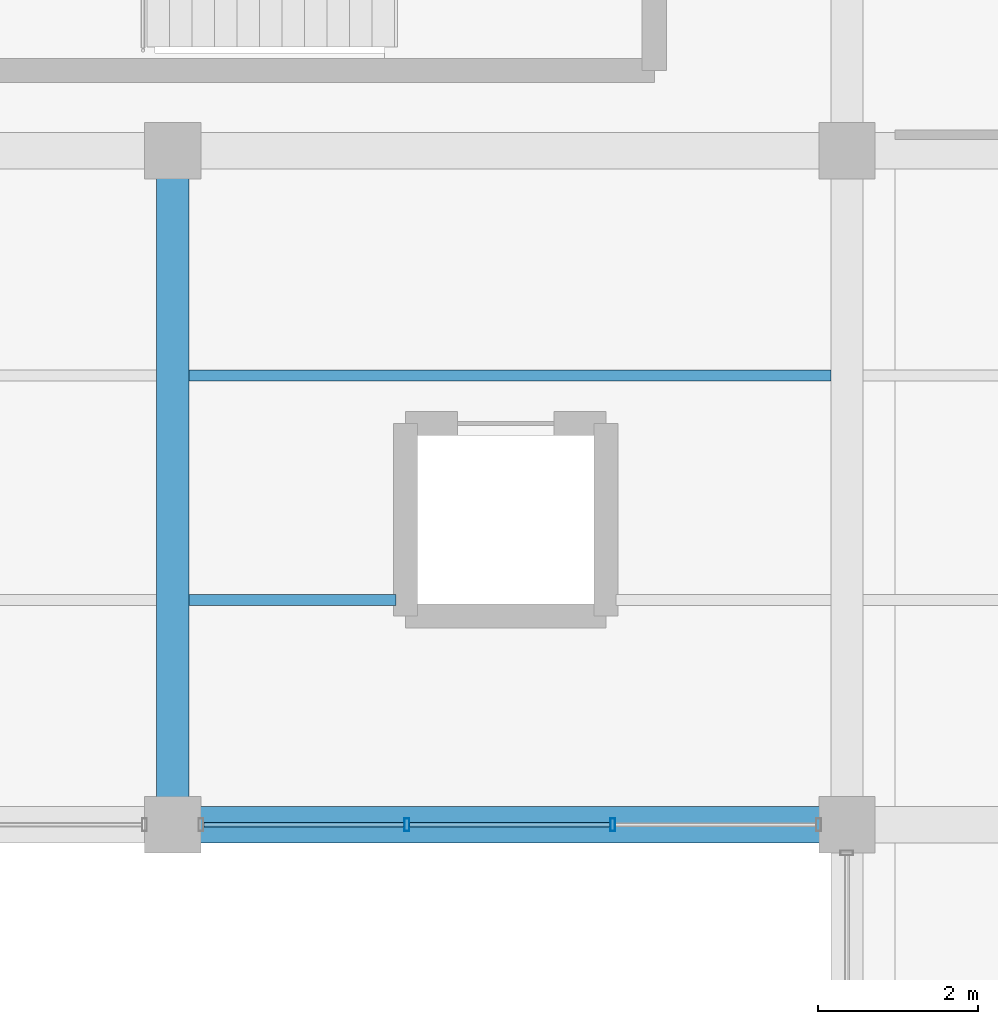
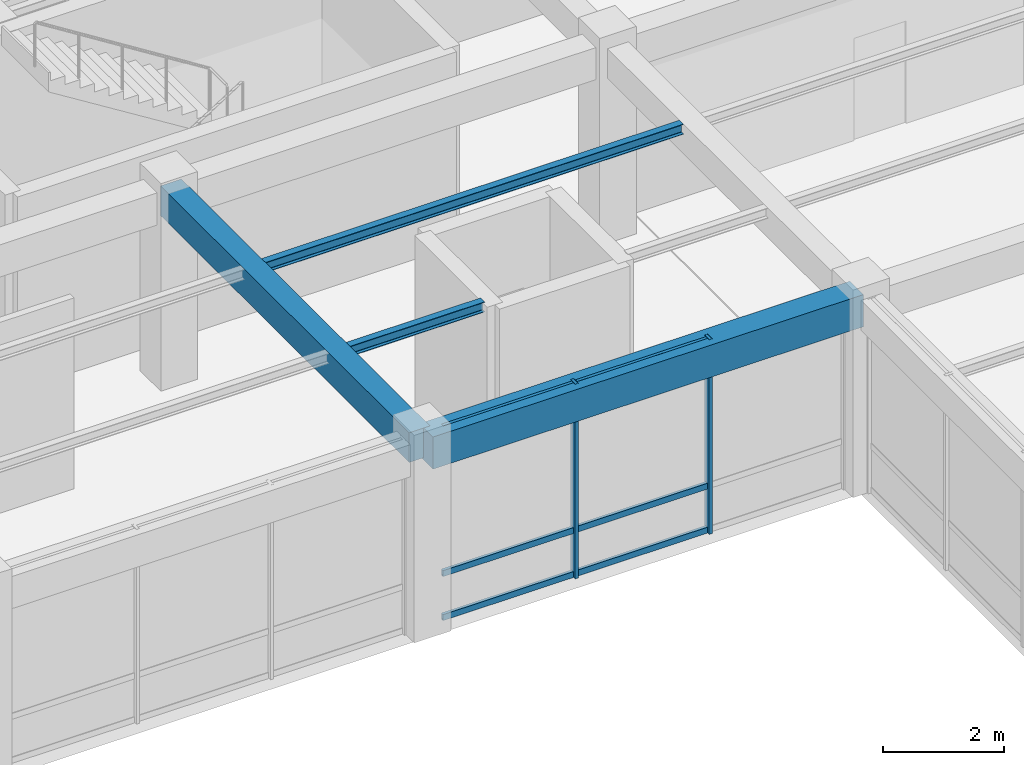
# One storey, part 21 of 152: 8 members, 4 beams, 1 element without a shape of its own.
"""IFC4 building model written with IfcOpenShell, lengths in metres."""

from ifc_helpers import new_model, si_unit, direction, frame, origin, origin_2d, place, context, subcontext, project, spatial, rectangle, hollow_rectangle, i_section, extrude, material, material_profile, profile_set, type_object, element, aggregate, save


model = new_model("IFC4")

# Units and contexts
model_context = context("Model", 3, precision=1e-05, world=origin(), true_north=direction((0.0, 1.0)))
body_context = subcontext(model_context, "Body", "Model", "MODEL_VIEW")
ifc_project = project(units=[si_unit("LENGTHUNIT", "METRE"), si_unit("AREAUNIT", "SQUARE_METRE"), si_unit("VOLUMEUNIT", "CUBIC_METRE"), si_unit("PLANEANGLEUNIT", "RADIAN"), si_unit("MASSUNIT", "GRAM", prefix="KILO"), si_unit("THERMODYNAMICTEMPERATUREUNIT", "KELVIN"), si_unit("POWERUNIT", "WATT")], contexts=[model_context])

# Site, building, storey
site_placement = place(None, origin())
site = spatial("IfcSite", under=ifc_project, at=site_placement, CompositionType="ELEMENT")
building_placement = place(site_placement, origin())
building = spatial("IfcBuilding", under=site, at=building_placement, Name="Darbajah Civic Hall", CompositionType="ELEMENT")
storey_placement = place(building_placement, frame((0.0, 0.0, 5.39990234375)))
storey = spatial("IfcBuildingStorey", under=building, at=storey_placement, Name="L01", CompositionType="ELEMENT", Elevation=5.39990234375)

# Curtain wall, members
ifc_material_1 = material(Name="Anodised Bronze Aluminium and Low-E Glazing", Category="aluminium")
curtain_wall_type = type_object("IfcCurtainWallType", Name="Unitised Curtain Wall CW-99 7700x3950", PredefinedType="USERDEFINED", material=ifc_material_1)
curtain_wall_placement = place(storey_placement, origin())
curtain_wall = element("IfcCurtainWall", 1, at=curtain_wall_placement, inside=storey, type_object=curtain_wall_type, Name="L01 unitised curtain wall CW-V5-L01-S2-B3", ObjectType="UNITISED CURTAIN WALL", PredefinedType="USERDEFINED")
ifc_material_2 = material(Name="Anodised Bronze Aluminium", Category="aluminium")
ifc_material_profile_1 = material_profile(ifc_material_2, hollow_rectangle(XDim=0.06005859375, YDim=0.159912109375, WallThickness=0.00341796875, at=origin_2d()), Name="ALU MULLION 60x160")
ifc_profile_set_1 = profile_set([ifc_material_profile_1], Name="Anodised Bronze Aluminium")
member_type_1 = type_object("IfcMemberType", Name="ALU MULLION 60x160", PredefinedType="MULLION", material=ifc_profile_set_1)
member_1_placement = place(storey_placement, frame((44.917236328125, 16.800048828125, 0.0), z_axis=(0.0, 0.0, 1.0), x_axis=(1.0, 0.0, 0.0)))
member_1 = element("IfcMember", 2, at=member_1_placement, type_object=member_type_1, Name="CW-V5-L01-S2-B3 mullion 2", PredefinedType="MULLION", context=body_context, shape_type="SweptSolid", body=[
    extrude(hollow_rectangle(XDim=0.06005859375, YDim=0.159912109375, WallThickness=0.00341796875, at=origin_2d()), origin(), (0.0, 0.0, 1.0), 3.940185546875),
])
member_2_placement = place(storey_placement, frame((47.482666015625, 16.800048828125, 0.0), z_axis=(0.0, 0.0, 1.0), x_axis=(1.0, 0.0, 0.0)))
member_2 = element("IfcMember", 3, at=member_2_placement, type_object=member_type_1, Name="CW-V5-L01-S2-B3 mullion 3", PredefinedType="MULLION", context=body_context, shape_type="SweptSolid", body=[
    extrude(hollow_rectangle(XDim=0.06005859375, YDim=0.159912109375, WallThickness=0.00341796875, at=origin_2d()), origin(), (0.0, 0.0, 1.0), 3.940185546875),
])
ifc_material_profile_2 = material_profile(ifc_material_2, hollow_rectangle(XDim=0.06005859375, YDim=0.1201171875, WallThickness=0.003173828125, at=origin_2d()), Name="ALU TRANSOM 60x120")
ifc_profile_set_2 = profile_set([ifc_material_profile_2], Name="Anodised Bronze Aluminium")
member_type_2 = type_object("IfcMemberType", Name="ALU TRANSOM 60x120", PredefinedType="USERDEFINED", material=ifc_profile_set_2)
member_3_placement = place(storey_placement, frame((42.386962890625, 16.800048828125, 0.06005859375), z_axis=(1.0, 0.0, 0.0), x_axis=(0.0, 1.0, 0.0)))
member_3 = element("IfcMember", 4, at=member_3_placement, type_object=member_type_2, Name="CW-V5-L01-S2-B3 transom 1.1", ObjectType="TRANSOM", PredefinedType="USERDEFINED", context=body_context, shape_type="SweptSolid", body=[
    extrude(hollow_rectangle(XDim=0.06005859375, YDim=0.1201171875, WallThickness=0.003173828125, at=origin_2d()), origin(), (0.0, 0.0, 1.0), 2.495361328125),
])
member_4_placement = place(storey_placement, frame((42.386962890625, 16.800048828125, 0.9501953125), z_axis=(1.0, 0.0, 0.0), x_axis=(0.0, 1.0, 0.0)))
member_4 = element("IfcMember", 5, at=member_4_placement, type_object=member_type_2, Name="CW-V5-L01-S2-B3 transom 1.2", ObjectType="TRANSOM", PredefinedType="USERDEFINED", context=body_context, shape_type="SweptSolid", body=[
    extrude(hollow_rectangle(XDim=0.06005859375, YDim=0.1201171875, WallThickness=0.003173828125, at=origin_2d()), origin(), (0.0, 0.0, 1.0), 2.495361328125),
])
member_5_placement = place(storey_placement, frame((42.386962890625, 16.800048828125, 3.880126953125), z_axis=(1.0, 0.0, 0.0), x_axis=(0.0, 1.0, 0.0)))
member_5 = element("IfcMember", 6, at=member_5_placement, type_object=member_type_2, Name="CW-V5-L01-S2-B3 transom 1.3", ObjectType="TRANSOM", PredefinedType="USERDEFINED", context=body_context, shape_type="SweptSolid", body=[
    extrude(hollow_rectangle(XDim=0.06005859375, YDim=0.1201171875, WallThickness=0.003173828125, at=origin_2d()), origin(), (0.0, 0.0, 1.0), 2.495361328125),
])
member_6_placement = place(storey_placement, frame((44.952392578125, 16.800048828125, 0.06005859375), z_axis=(1.0, 0.0, 0.0), x_axis=(0.0, 1.0, 0.0)))
member_6 = element("IfcMember", 7, at=member_6_placement, type_object=member_type_2, Name="CW-V5-L01-S2-B3 transom 2.1", ObjectType="TRANSOM", PredefinedType="USERDEFINED", context=body_context, shape_type="SweptSolid", body=[
    extrude(hollow_rectangle(XDim=0.06005859375, YDim=0.1201171875, WallThickness=0.003173828125, at=origin_2d()), origin(), (0.0, 0.0, 1.0), 2.495361328125),
])
member_7_placement = place(storey_placement, frame((44.952392578125, 16.800048828125, 0.9501953125), z_axis=(1.0, 0.0, 0.0), x_axis=(0.0, 1.0, 0.0)))
member_7 = element("IfcMember", 8, at=member_7_placement, type_object=member_type_2, Name="CW-V5-L01-S2-B3 transom 2.2", ObjectType="TRANSOM", PredefinedType="USERDEFINED", context=body_context, shape_type="SweptSolid", body=[
    extrude(hollow_rectangle(XDim=0.06005859375, YDim=0.1201171875, WallThickness=0.003173828125, at=origin_2d()), origin(), (0.0, 0.0, 1.0), 2.495361328125),
])
member_8_placement = place(storey_placement, frame((44.952392578125, 16.800048828125, 3.880126953125), z_axis=(1.0, 0.0, 0.0), x_axis=(0.0, 1.0, 0.0)))
member_8 = element("IfcMember", 9, at=member_8_placement, type_object=member_type_2, Name="CW-V5-L01-S2-B3 transom 2.3", ObjectType="TRANSOM", PredefinedType="USERDEFINED", context=body_context, shape_type="SweptSolid", body=[
    extrude(hollow_rectangle(XDim=0.06005859375, YDim=0.1201171875, WallThickness=0.003173828125, at=origin_2d()), origin(), (0.0, 0.0, 1.0), 2.495361328125),
])
aggregate(curtain_wall, [member_1, member_2, member_3, member_4, member_5, member_6, member_7, member_8])

# Beams
ifc_material_3 = material(Name="Concrete C45/55", Category="concrete")
ifc_material_profile_3 = material_profile(ifc_material_3, rectangle(XDim=0.39990234375, YDim=0.60009765625, at=origin_2d()), Name="RC BEAM 400x600")
ifc_profile_set_3 = profile_set([ifc_material_profile_3], Name="Concrete C45/55")
beam_type_1 = type_object("IfcBeamType", Name="RC BEAM 400x600", PredefinedType="BEAM", material=ifc_profile_set_3)
beam_1_placement = place(storey_placement, frame((42.0, 16.8798828125, 3.64013671875), z_axis=(0.0, 1.0, 0.0), x_axis=(-1.0, 0.0, 0.0)))
element("IfcBeam", 10, at=beam_1_placement, inside=storey, type_object=beam_type_1, Name="L01 beam BM-4060", PredefinedType="BEAM", context=body_context, shape_type="SweptSolid", body=[
    extrude(rectangle(XDim=0.39990234375, YDim=0.60009765625, at=origin_2d()), origin(), (0.0, 0.0, 1.0), 8.240234375),
])
ifc_material_profile_4 = material_profile(ifc_material_3, rectangle(XDim=0.449951171875, YDim=0.64990234375, at=origin_2d()), Name="RC BEAM 450x650")
ifc_profile_set_4 = profile_set([ifc_material_profile_4], Name="Concrete C45/55")
beam_type_2 = type_object("IfcBeamType", Name="RC BEAM 450x650", PredefinedType="BEAM", material=ifc_profile_set_4)
beam_2_placement = place(storey_placement, frame((42.080078125, 16.800048828125, 3.614990234375), z_axis=(1.0, 0.0, 0.0), x_axis=(0.0, 1.0, 0.0)))
element("IfcBeam", 11, at=beam_2_placement, inside=storey, type_object=beam_type_2, Name="L01 beam BM-4565", PredefinedType="BEAM", context=body_context, shape_type="SweptSolid", body=[
    extrude(rectangle(XDim=0.449951171875, YDim=0.64990234375, at=origin_2d()), origin(), (0.0, 0.0, 1.0), 8.239990234375),
])
ifc_material_4 = material(Name="Steel S355JR", Category="steel")
ifc_material_profile_5 = material_profile(ifc_material_4, i_section(OverallWidth=0.1337890625, OverallDepth=0.206787109375, WebThickness=0.00634765625, FlangeThickness=0.009521484375, FilletRadius=0.007568359375, at=origin_2d()), Name="UB 203x133x30")
ifc_profile_set_5 = profile_set([ifc_material_profile_5], Name="Steel S355JR")
beam_type_3 = type_object("IfcBeamType", Name="UB 203x133x30", PredefinedType="JOIST", material=ifc_profile_set_5)
beam_3_placement = place(storey_placement, frame((42.199951171875, 19.60009765625, 3.836669921875), z_axis=(1.0, 0.0, 0.0), x_axis=(0.0, 1.0, 0.0)))
element("IfcBeam", 12, at=beam_3_placement, inside=storey, type_object=beam_type_3, Name="L01 beam SJ-203", PredefinedType="JOIST", context=body_context, shape_type="SweptSolid", body=[
    extrude(i_section(OverallWidth=0.1337890625, OverallDepth=0.206787109375, WebThickness=0.00634765625, FlangeThickness=0.009521484375, FilletRadius=0.007568359375, at=origin_2d()), origin(), (0.0, 0.0, 1.0), 2.580078125),
])
beam_4_placement = place(storey_placement, frame((42.199951171875, 22.39990234375, 3.836669921875), z_axis=(1.0, 0.0, 0.0), x_axis=(0.0, 1.0, 0.0)))
element("IfcBeam", 13, at=beam_4_placement, inside=storey, type_object=beam_type_3, Name="L01 beam SJ-203", PredefinedType="JOIST", context=body_context, shape_type="SweptSolid", body=[
    extrude(i_section(OverallWidth=0.1337890625, OverallDepth=0.206787109375, WebThickness=0.00634765625, FlangeThickness=0.009521484375, FilletRadius=0.007568359375, at=origin_2d()), origin(), (0.0, 0.0, 1.0), 8.0),
])

save(model, "model.ifc")
